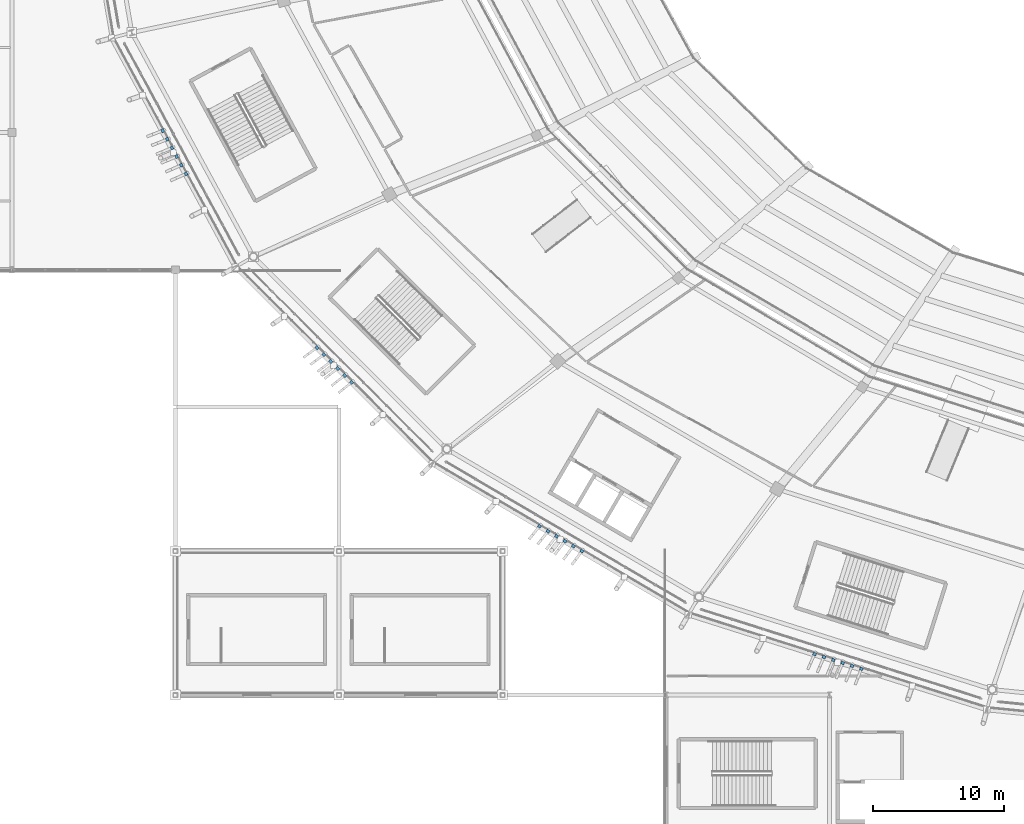
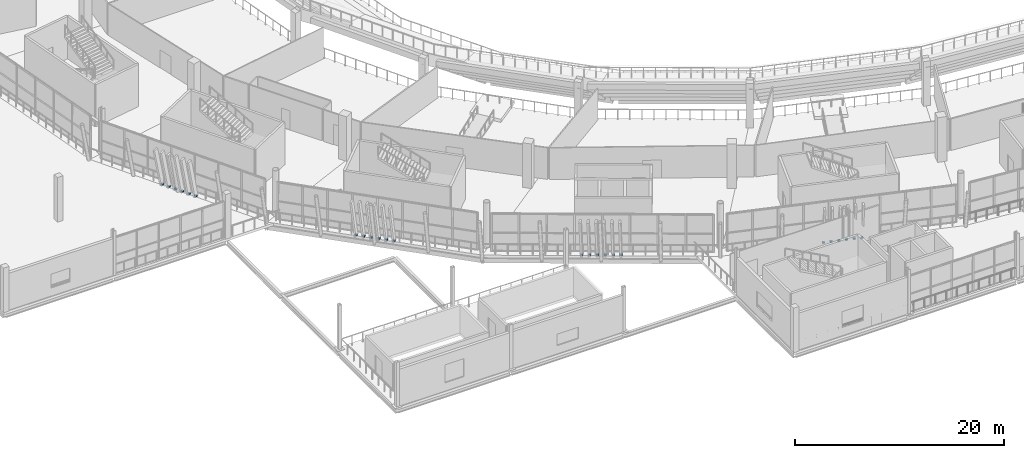
# One storey, part 137 of 178: 24 discrete accessories.
"""IFC4 building model written with IfcOpenShell, lengths in metres."""

from ifc_helpers import new_model, si_unit, direction, frame, origin, origin_2d, place, context, subcontext, project, spatial, rectangle, extrude, material, type_object, element, save


model = new_model("IFC4")

# Units and contexts
model_context = context("Model", 3, precision=1e-05, world=origin(), true_north=direction((0.0, 1.0)))
body_context = subcontext(model_context, "Body", "Model", "MODEL_VIEW")
ifc_project = project(units=[si_unit("LENGTHUNIT", "METRE"), si_unit("AREAUNIT", "SQUARE_METRE"), si_unit("VOLUMEUNIT", "CUBIC_METRE"), si_unit("PLANEANGLEUNIT", "RADIAN"), si_unit("MASSUNIT", "GRAM", prefix="KILO")], contexts=[model_context])

# Site, building, storey
site_placement = place(None, origin())
site = spatial("IfcSite", under=ifc_project, at=site_placement, CompositionType="ELEMENT")
building_placement = place(site_placement, origin())
building = spatial("IfcBuilding", under=site, at=building_placement, Name="Zlatoyarsky Gate Stadium", CompositionType="ELEMENT")
storey_placement = place(building_placement, frame((0.0, 0.0, 5.39990234375)))
storey = spatial("IfcBuildingStorey", under=building, at=storey_placement, Name="L01", CompositionType="ELEMENT", Elevation=5.39990234375)

# Discrete accessories
ifc_material = material(Name="Steel S355", Category="steel")
discrete_accessory_type = type_object("IfcDiscreteAccessoryType", Name="STEEL LOUVRE ANCHOR BRACKET 260X220X160", PredefinedType="BRACKET", material=ifc_material)
for number, where, z_axis, x_axis, name in (
    (1, (23.5234375, 54.1318359375, -0.02001953125), (0.0, 0.0, 1.0), (0.47505169779, -0.879957887871, 0.0), "Louvre anchor bracket L01-13-1"),
    (2, (23.8798828125, 53.471923828125, -0.02001953125), (0.0, 0.0, 1.0), (0.47505169779, -0.879957887871, 0.0), "Louvre anchor bracket L01-13-2"),
    (3, (24.236083984375, 52.81201171875, -0.02001953125), (0.0, 0.0, 1.0), (0.47505169779, -0.879957887871, 0.0), "Louvre anchor bracket L01-13-3"),
    (4, (24.59228515625, 52.152099609375, -0.02001953125), (0.0, 0.0, 1.0), (0.47505169779, -0.879957887871, 0.0), "Louvre anchor bracket L01-13-4"),
    (5, (24.948486328125, 51.491943359375, -0.02001953125), (0.0, 0.0, 1.0), (0.47505169779, -0.879957887871, 0.0), "Louvre anchor bracket L01-13-5"),
    (6, (25.304931640625, 50.83203125, -0.02001953125), (0.0, 0.0, 1.0), (0.47505169779, -0.879957887871, 0.0), "Louvre anchor bracket L01-13-6"),
    (7, (35.3212890625, 37.551025390625, -0.02001953125), (0.0, 0.0, 1.0), (0.707135023844, -0.707078537401, 0.0), "Louvre anchor bracket L01-14-1"),
    (8, (35.8515625, 37.020751953125, -0.02001953125), (0.0, 0.0, 1.0), (0.707135023844, -0.707078537401, 0.0), "Louvre anchor bracket L01-14-2"),
    (9, (36.3818359375, 36.490478515625, -0.02001953125), (0.0, 0.0, 1.0), (0.707135023844, -0.707078537401, 0.0), "Louvre anchor bracket L01-14-3"),
    (10, (36.912353515625, 35.9599609375, -0.02001953125), (0.0, 0.0, 1.0), (0.707135023844, -0.707078537401, 0.0), "Louvre anchor bracket L01-14-4"),
    (11, (37.442626953125, 35.4296875, -0.02001953125), (0.0, 0.0, 1.0), (0.707135023844, -0.707078537401, 0.0), "Louvre anchor bracket L01-14-5"),
    (12, (37.972900390625, 34.8994140625, -0.02001953125), (0.0, 0.0, 1.0), (0.707135023844, -0.707078537401, 0.0), "Louvre anchor bracket L01-14-6"),
    (13, (52.331298828125, 23.90283203125, -0.02001953125), (0.0, 0.0, 1.0), (0.861742129764, -0.507346530282, 0.0), "Louvre anchor bracket L01-15-1"),
    (14, (52.9775390625, 23.522216796875, -0.02001953125), (0.0, 0.0, 1.0), (0.861742129764, -0.507346530282, 0.0), "Louvre anchor bracket L01-15-2"),
    (15, (53.623779296875, 23.141845703125, -0.02001953125), (0.0, 0.0, 1.0), (0.861742129764, -0.507346530282, 0.0), "Louvre anchor bracket L01-15-3"),
    (16, (54.270263671875, 22.76123046875, -0.02001953125), (0.0, 0.0, 1.0), (0.861742129764, -0.507346530282, 0.0), "Louvre anchor bracket L01-15-4"),
    (17, (54.91650390625, 22.380859375, -0.02001953125), (0.0, 0.0, 1.0), (0.861742129764, -0.507346530282, 0.0), "Louvre anchor bracket L01-15-5"),
    (18, (55.562744140625, 22.000244140625, -0.02001953125), (0.0, 0.0, 1.0), (0.861742129764, -0.507346530282, 0.0), "Louvre anchor bracket L01-15-6"),
    (19, (73.347900390625, 14.133544921875, -0.02001953125), (0.0, 0.0, 1.0), (0.95302679735, -0.302885990981, 0.0), "Louvre anchor bracket L01-16-1"),
    (20, (74.062744140625, 13.906494140625, -0.02001953125), (0.0, 0.0, 1.0), (0.95302679735, -0.302885990981, 0.0), "Louvre anchor bracket L01-16-2"),
    (21, (74.777587890625, 13.67919921875, -0.02001953125), (0.0, 0.0, 1.0), (0.95302679735, -0.302885990981, 0.0), "Louvre anchor bracket L01-16-3"),
    (22, (75.4921875, 13.4521484375, -0.02001953125), (0.0, 0.0, 1.0), (0.95302679735, -0.302885990981, 0.0), "Louvre anchor bracket L01-16-4"),
    (23, (76.20703125, 13.224853515625, -0.02001953125), (0.0, 0.0, 1.0), (0.95302679735, -0.302885990981, 0.0), "Louvre anchor bracket L01-16-5"),
    (24, (76.921875, 12.997802734375, -0.02001953125), (0.0, 0.0, 1.0), (0.95302679735, -0.302885990981, 0.0), "Louvre anchor bracket L01-16-6"),
):
    element("IfcDiscreteAccessory", number, at=place(storey_placement, frame(where, z_axis=z_axis, x_axis=x_axis)), inside=storey, type_object=discrete_accessory_type, Name=name, PredefinedType="BRACKET", context=body_context, shape_type="SweptSolid", body=[
        extrude(rectangle(XDim=0.260009765625, YDim=0.219970703125, at=origin_2d()), origin(), (0.0, 0.0, 1.0), 0.159912109375),
    ])

save(model, "model.ifc")
